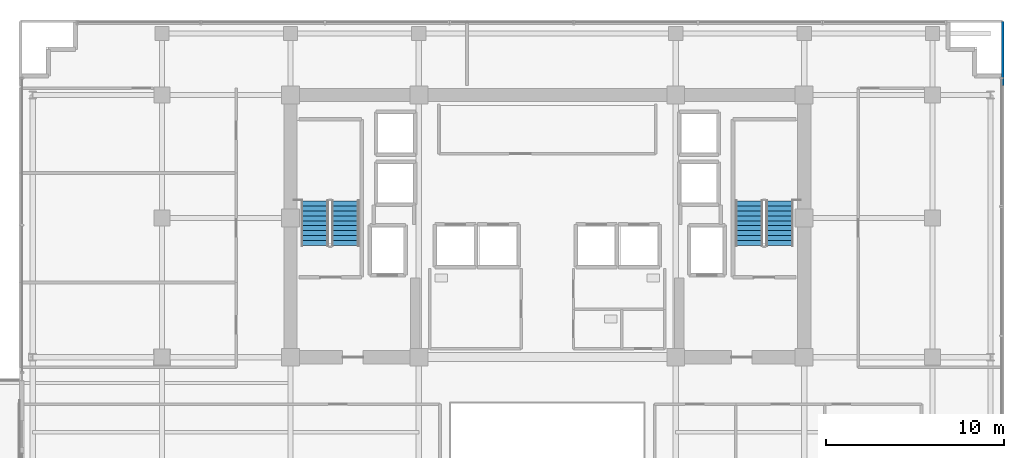
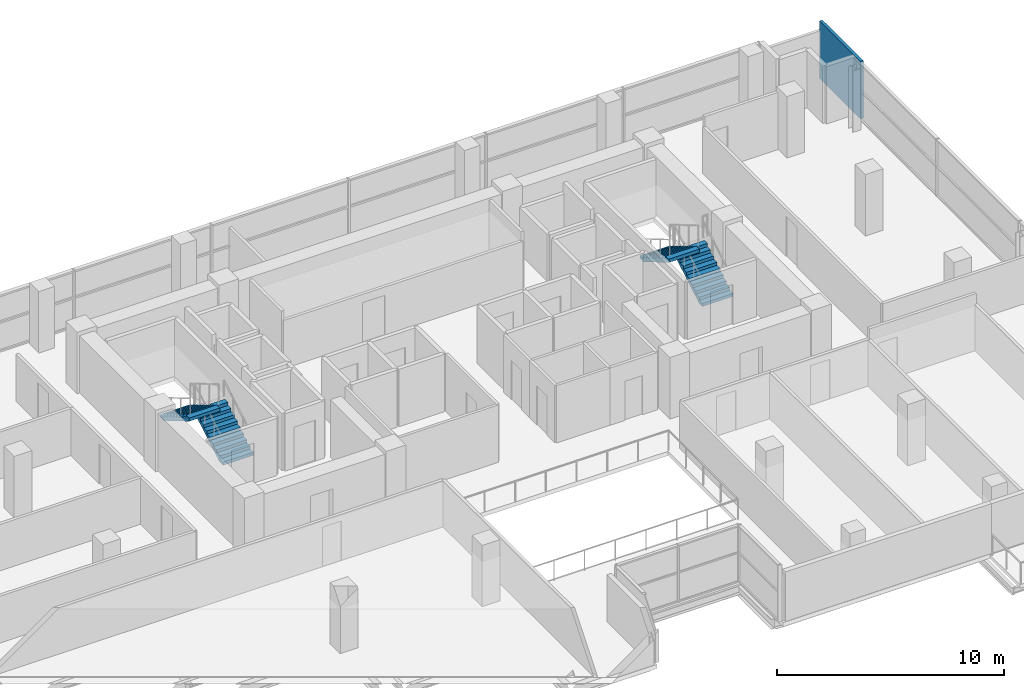
# One storey, part 23 of 28: 4 stair flights, 1 wall, 2 elements without a shape of their own.
"""IFC4 building model written with IfcOpenShell, lengths in metres."""

from ifc_helpers import new_model, si_unit, direction, frame, frame_2d, origin, place, context, subcontext, project, spatial, polyline, rectangle, outline, extrude, material, layer, layer_set, type_object, element, aggregate, save


model = new_model("IFC4")

# Units and contexts
model_context = context("Model", 3, precision=1e-05, world=origin(), true_north=direction((0.0, 1.0)))
body_context = subcontext(model_context, "Body", "Model", "MODEL_VIEW")
ifc_project = project(units=[si_unit("LENGTHUNIT", "METRE"), si_unit("AREAUNIT", "SQUARE_METRE"), si_unit("VOLUMEUNIT", "CUBIC_METRE"), si_unit("PLANEANGLEUNIT", "RADIAN"), si_unit("MASSUNIT", "GRAM", prefix="KILO")], contexts=[model_context])

# Site, building, storey
site_placement = place(None, origin())
site = spatial("IfcSite", under=ifc_project, at=site_placement, CompositionType="ELEMENT")
building_placement = place(site_placement, origin())
building = spatial("IfcBuilding", under=site, at=building_placement, Name="Zarnakvel Exchange Tower", CompositionType="ELEMENT")
storey_placement = place(building_placement, frame((0.0, 0.0, 109.89990234375)))
storey = spatial("IfcBuildingStorey", under=building, at=storey_placement, Name="L30", CompositionType="ELEMENT", Elevation=109.89990234375)

# Wall
ifc_material_1 = material(Name="Fire-Rated Gypsum Stud Partition", Category="gypsum")
ifc_layer = layer(ifc_material_1, 0.14990234375)
ifc_layer_set = layer_set([ifc_layer], Name="Fire-Rated Gypsum Stud Partition")
wall_type = type_object("IfcWallType", Name="PT-01", PredefinedType="PARTITIONING", material=ifc_layer_set)
wall_placement = place(storey_placement, frame((25.530029296875, 17.6298828125, 0.0), z_axis=(0.0, 0.0, 1.0), x_axis=(0.0, -1.0, 0.0)))
element("IfcWall", 1, at=wall_placement, inside=storey, type_object=wall_type, Name="L30 Partition Wall PWALL-L30-056 (PT-01)", PredefinedType="PARTITIONING", context=body_context, shape_type="SweptSolid", body=[
    extrude(rectangle(XDim=3.599853515625, YDim=0.14990234375, at=frame_2d((1.7998046875, 0.0))), origin(), (0.0, 0.0, 1.0), 3.0751953125),
])

# Stair, stair flights
ifc_material_2 = material(Name="Concrete C40/50", Category="concrete")
stair_type = type_object("IfcStairType", Name="STR-01", PredefinedType="HALF_TURN_STAIR", material=ifc_material_2)
stair_1_placement = place(storey_placement, origin())
stair_1 = element("IfcStair", 2, at=stair_1_placement, inside=storey, type_object=stair_type, Name="L30 Protected Core Exit Stair ST-01", PredefinedType="HALF_TURN_STAIR")
stair_flight_type = type_object("IfcStairFlightType", Name="FLT-01", PredefinedType="STRAIGHT", material=ifc_material_2)
stair_flight_1_placement = place(storey_placement, frame((-11.31494140625, 5.050048828125, 0.0), z_axis=(0.0, 0.0, 1.0), x_axis=(0.0, 1.0, 0.0)))
stair_flight_1 = element("IfcStairFlight", 3, at=stair_flight_1_placement, type_object=stair_flight_type, Name="ST-01 flight 1", NumberOfRisers=10, NumberOfTreads=9, PredefinedType="STRAIGHT", RiserHeight=0.165, TreadLength=0.28, context=body_context, shape_type="SweptSolid", body=[
    extrude(outline(polyline([(0.0, 0.0), (0.0, 0.1650390625), (0.280029296875, 0.1650390625), (0.280029296875, 0.330078125), (0.56005859375, 0.330078125), (0.56005859375, 0.4951171875), (0.840087890625, 0.4951171875), (0.840087890625, 0.659912109375), (1.1201171875, 0.659912109375), (1.1201171875, 0.824951171875), (1.39990234375, 0.824951171875), (1.39990234375, 0.989990234375), (1.679931640625, 0.989990234375), (1.679931640625, 1.155029296875), (1.9599609375, 1.155029296875), (1.9599609375, 1.320068359375), (2.239990234375, 1.320068359375), (2.239990234375, 1.485107421875), (2.52001953125, 1.485107421875), (2.52001953125, 1.64990234375), (2.52001953125, 1.31103515625), (0.295166015625, 0.0), (0.0, 0.0)])), frame((0.0, 0.77490234375, 0.0), z_axis=(0.0, -1.0, 0.0), x_axis=(1.0, 0.0, 0.0)), (0.0, 0.0, 1.0), 1.550048828125),
])
stair_flight_2_placement = place(storey_placement, frame((-13.02490234375, 7.570068359375, 1.650146484375), z_axis=(0.0, 0.0, 1.0), x_axis=(0.0, -1.0, 0.0)))
stair_flight_2 = element("IfcStairFlight", 4, at=stair_flight_2_placement, type_object=stair_flight_type, Name="ST-01 flight 2", NumberOfRisers=10, NumberOfTreads=9, PredefinedType="STRAIGHT", RiserHeight=0.165, TreadLength=0.28, context=body_context, shape_type="SweptSolid", body=[
    extrude(outline(polyline([(0.0, 0.0), (0.0, 0.1650390625), (0.280029296875, 0.1650390625), (0.280029296875, 0.330078125), (0.56005859375, 0.330078125), (0.56005859375, 0.4951171875), (0.840087890625, 0.4951171875), (0.840087890625, 0.659912109375), (1.1201171875, 0.659912109375), (1.1201171875, 0.824951171875), (1.39990234375, 0.824951171875), (1.39990234375, 0.989990234375), (1.679931640625, 0.989990234375), (1.679931640625, 1.155029296875), (1.9599609375, 1.155029296875), (1.9599609375, 1.320068359375), (2.239990234375, 1.320068359375), (2.239990234375, 1.485107421875), (2.52001953125, 1.485107421875), (2.52001953125, 1.64990234375), (2.52001953125, 1.31103515625), (0.295166015625, 0.0), (0.0, 0.0)])), frame((0.0, 0.77490234375, 0.0), z_axis=(0.0, -1.0, 0.0), x_axis=(1.0, 0.0, 0.0)), (0.0, 0.0, 1.0), 1.550048828125),
])
aggregate(stair_1, [stair_flight_1, stair_flight_2])

stair_2_placement = place(storey_placement, origin())
stair_2 = element("IfcStair", 5, at=stair_2_placement, inside=storey, type_object=stair_type, Name="L30 Protected Core Exit Stair ST-02", PredefinedType="HALF_TURN_STAIR")
stair_flight_3_placement = place(storey_placement, frame((13.02490234375, 5.050048828125, 0.0), z_axis=(0.0, 0.0, 1.0), x_axis=(0.0, 1.0, 0.0)))
stair_flight_3 = element("IfcStairFlight", 6, at=stair_flight_3_placement, type_object=stair_flight_type, Name="ST-02 flight 1", NumberOfRisers=10, NumberOfTreads=9, PredefinedType="STRAIGHT", RiserHeight=0.165, TreadLength=0.28, context=body_context, shape_type="SweptSolid", body=[
    extrude(outline(polyline([(0.0, 0.0), (0.0, 0.1650390625), (0.280029296875, 0.1650390625), (0.280029296875, 0.330078125), (0.56005859375, 0.330078125), (0.56005859375, 0.4951171875), (0.840087890625, 0.4951171875), (0.840087890625, 0.659912109375), (1.1201171875, 0.659912109375), (1.1201171875, 0.824951171875), (1.39990234375, 0.824951171875), (1.39990234375, 0.989990234375), (1.679931640625, 0.989990234375), (1.679931640625, 1.155029296875), (1.9599609375, 1.155029296875), (1.9599609375, 1.320068359375), (2.239990234375, 1.320068359375), (2.239990234375, 1.485107421875), (2.52001953125, 1.485107421875), (2.52001953125, 1.64990234375), (2.52001953125, 1.31103515625), (0.295166015625, 0.0), (0.0, 0.0)])), frame((0.0, 0.77490234375, 0.0), z_axis=(0.0, -1.0, 0.0), x_axis=(1.0, 0.0, 0.0)), (0.0, 0.0, 1.0), 1.550048828125),
])
stair_flight_4_placement = place(storey_placement, frame((11.31494140625, 7.570068359375, 1.650146484375), z_axis=(0.0, 0.0, 1.0), x_axis=(0.0, -1.0, 0.0)))
stair_flight_4 = element("IfcStairFlight", 7, at=stair_flight_4_placement, type_object=stair_flight_type, Name="ST-02 flight 2", NumberOfRisers=10, NumberOfTreads=9, PredefinedType="STRAIGHT", RiserHeight=0.165, TreadLength=0.28, context=body_context, shape_type="SweptSolid", body=[
    extrude(outline(polyline([(0.0, 0.0), (0.0, 0.1650390625), (0.280029296875, 0.1650390625), (0.280029296875, 0.330078125), (0.56005859375, 0.330078125), (0.56005859375, 0.4951171875), (0.840087890625, 0.4951171875), (0.840087890625, 0.659912109375), (1.1201171875, 0.659912109375), (1.1201171875, 0.824951171875), (1.39990234375, 0.824951171875), (1.39990234375, 0.989990234375), (1.679931640625, 0.989990234375), (1.679931640625, 1.155029296875), (1.9599609375, 1.155029296875), (1.9599609375, 1.320068359375), (2.239990234375, 1.320068359375), (2.239990234375, 1.485107421875), (2.52001953125, 1.485107421875), (2.52001953125, 1.64990234375), (2.52001953125, 1.31103515625), (0.295166015625, 0.0), (0.0, 0.0)])), frame((0.0, 0.77490234375, 0.0), z_axis=(0.0, -1.0, 0.0), x_axis=(1.0, 0.0, 0.0)), (0.0, 0.0, 1.0), 1.550048828125),
])
aggregate(stair_2, [stair_flight_3, stair_flight_4])

save(model, "model.ifc")
